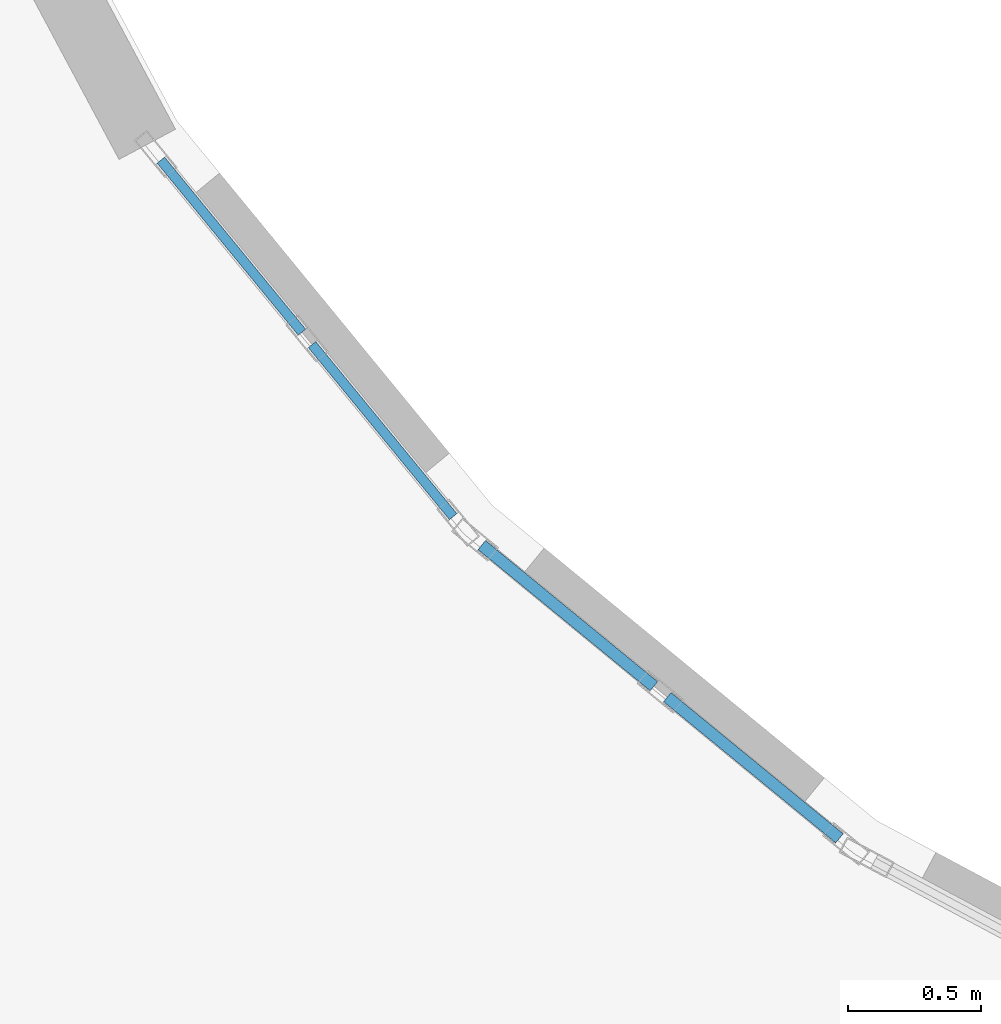
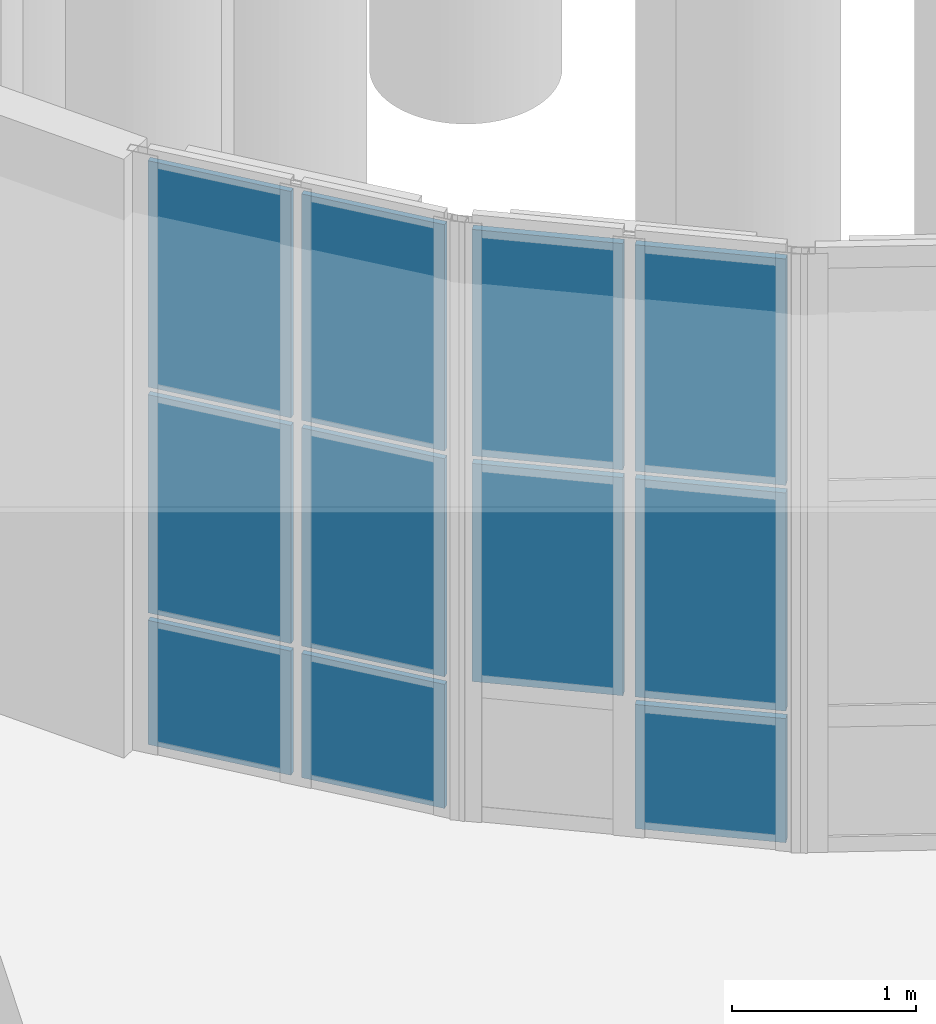
# One storey, part 52 of 93: 11 plates, 2 elements without a shape of their own.
"""IFC4 building model written with IfcOpenShell, lengths in metres."""

from ifc_helpers import new_model, si_unit, direction, frame, origin, origin_2d, place, context, subcontext, project, spatial, rectangle, extrude, material, layer, layer_set, type_object, element, aggregate, save


model = new_model("IFC4")

# Units and contexts
model_context = context("Model", 3, precision=1e-05, world=origin(), true_north=direction((0.0, 1.0)))
body_context = subcontext(model_context, "Body", "Model", "MODEL_VIEW")
ifc_project = project(units=[si_unit("LENGTHUNIT", "METRE"), si_unit("AREAUNIT", "SQUARE_METRE"), si_unit("VOLUMEUNIT", "CUBIC_METRE"), si_unit("PLANEANGLEUNIT", "RADIAN"), si_unit("MASSUNIT", "GRAM", prefix="KILO")], contexts=[model_context])

# Site, building, storey
site_placement = place(None, origin())
site = spatial("IfcSite", under=ifc_project, at=site_placement, CompositionType="ELEMENT")
building_placement = place(site_placement, origin())
building = spatial("IfcBuilding", under=site, at=building_placement, Name="Kelanivale Promenade Academy", CompositionType="ELEMENT")
storey_placement = place(building_placement, origin())
storey = spatial("IfcBuildingStorey", under=building, at=storey_placement, Name="L00", CompositionType="ELEMENT", Elevation=0.0)

# Curtain wall, plates
ifc_material_1 = material(Name="Bronze anodised aluminium and solar-control low-E glass", Category="aluminium")
ifc_layer_1 = layer(ifc_material_1, 0.179931640625)
ifc_layer_set_1 = layer_set([ifc_layer_1], Name="Bronze anodised aluminium and solar-control low-E glass")
curtain_wall_type_1 = type_object("IfcCurtainWallType", Name="CW-14 Curtain Wall 1500mm Module", PredefinedType="USERDEFINED", material=ifc_layer_set_1)
curtain_wall_1_placement = place(storey_placement, origin())
curtain_wall_1 = element("IfcCurtainWall", 1, at=curtain_wall_1_placement, inside=storey, type_object=curtain_wall_type_1, Name="L00 courtyard curtain wall CW-14", ObjectType="COURTYARD SCREEN GLAZING", PredefinedType="USERDEFINED")
ifc_material_2 = material(Name="Acoustic laminated double glazing 36 mm", Category="glass")
ifc_layer_2 = layer(ifc_material_2, 0.035888671875)
ifc_layer_set_2 = layer_set([ifc_layer_2], Name="Acoustic laminated double glazing 36 mm")
plate_type_1 = type_object("IfcPlateType", Name="CWP-02 Plate 36mm", PredefinedType="CURTAIN_PANEL", material=ifc_layer_set_2)
plate_1_placement = place(storey_placement, frame((91.105224609375, 51.052490234375, 0.0498046875), z_axis=(0.0, 0.0, 1.0), x_axis=(0.634092539482, -0.773257170269, 0.0)))
plate_1 = element("IfcPlate", 2, at=plate_1_placement, type_object=plate_type_1, Name="CW-14 panel 1.1", PredefinedType="CURTAIN_PANEL", context=body_context, shape_type="SweptSolid", body=[
    extrude(rectangle(XDim=0.833251953125, YDim=0.035888671875, at=origin_2d()), origin(), (0.0, 0.0, 1.0), 0.824951171875),
])
plate_2_placement = place(storey_placement, frame((91.105224609375, 51.052490234375, 0.9248046875), z_axis=(0.0, 0.0, 1.0), x_axis=(0.634092539482, -0.773257170269, 0.0)))
plate_2 = element("IfcPlate", 3, at=plate_2_placement, type_object=plate_type_1, Name="CW-14 panel 1.2", PredefinedType="CURTAIN_PANEL", context=body_context, shape_type="SweptSolid", body=[
    extrude(rectangle(XDim=0.833251953125, YDim=0.035888671875, at=origin_2d()), origin(), (0.0, 0.0, 1.0), 1.449951171875),
])
plate_3_placement = place(storey_placement, frame((91.105224609375, 51.052490234375, 2.425048828125), z_axis=(0.0, 0.0, 1.0), x_axis=(0.634092539482, -0.773257170269, 0.0)))
plate_3 = element("IfcPlate", 4, at=plate_3_placement, type_object=plate_type_1, Name="CW-14 panel 1.3", PredefinedType="CURTAIN_PANEL", context=body_context, shape_type="SweptSolid", body=[
    extrude(rectangle(XDim=0.833251953125, YDim=0.035888671875, at=origin_2d()), origin(), (0.0, 0.0, 1.0), 1.5048828125),
])
plate_4_placement = place(storey_placement, frame((91.671630859375, 50.361572265625, 0.0498046875), z_axis=(0.0, 0.0, 1.0), x_axis=(0.634092539482, -0.773257170269, 0.0)))
plate_4 = element("IfcPlate", 5, at=plate_4_placement, type_object=plate_type_1, Name="CW-14 panel 2.1", PredefinedType="CURTAIN_PANEL", context=body_context, shape_type="SweptSolid", body=[
    extrude(rectangle(XDim=0.833251953125, YDim=0.035888671875, at=origin_2d()), origin(), (0.0, 0.0, 1.0), 0.824951171875),
])
plate_5_placement = place(storey_placement, frame((91.671630859375, 50.361572265625, 0.9248046875), z_axis=(0.0, 0.0, 1.0), x_axis=(0.634092539482, -0.773257170269, 0.0)))
plate_5 = element("IfcPlate", 6, at=plate_5_placement, type_object=plate_type_1, Name="CW-14 panel 2.2", PredefinedType="CURTAIN_PANEL", context=body_context, shape_type="SweptSolid", body=[
    extrude(rectangle(XDim=0.833251953125, YDim=0.035888671875, at=origin_2d()), origin(), (0.0, 0.0, 1.0), 1.449951171875),
])
plate_6_placement = place(storey_placement, frame((91.671630859375, 50.361572265625, 2.425048828125), z_axis=(0.0, 0.0, 1.0), x_axis=(0.634092539482, -0.773257170269, 0.0)))
plate_6 = element("IfcPlate", 7, at=plate_6_placement, type_object=plate_type_1, Name="CW-14 panel 2.3", PredefinedType="CURTAIN_PANEL", context=body_context, shape_type="SweptSolid", body=[
    extrude(rectangle(XDim=0.833251953125, YDim=0.035888671875, at=origin_2d()), origin(), (0.0, 0.0, 1.0), 1.5048828125),
])
aggregate(curtain_wall_1, [plate_1, plate_2, plate_3, plate_4, plate_5, plate_6])

ifc_layer_3 = layer(ifc_material_1, 0.159912109375)
ifc_layer_set_3 = layer_set([ifc_layer_3], Name="Bronze anodised aluminium and solar-control low-E glass")
curtain_wall_type_2 = type_object("IfcCurtainWallType", Name="CW-15 Curtain Wall 1650mm Module", PredefinedType="USERDEFINED", material=ifc_layer_set_3)
curtain_wall_2_placement = place(storey_placement, origin())
curtain_wall_2 = element("IfcCurtainWall", 8, at=curtain_wall_2_placement, inside=storey, type_object=curtain_wall_type_2, Name="L00 courtyard curtain wall CW-15", ObjectType="COURTYARD SCREEN GLAZING", PredefinedType="USERDEFINED")
ifc_material_3 = material(Name="Insulated bronze aluminium spandrel panel 44 mm", Category="aluminium")
ifc_layer_4 = layer(ifc_material_3, 0.0439453125)
ifc_layer_set_4 = layer_set([ifc_layer_4], Name="Insulated bronze aluminium spandrel panel 44 mm")
plate_type_2 = type_object("IfcPlateType", Name="CWP-03 Plate 44mm", PredefinedType="CURTAIN_PANEL", material=ifc_layer_set_4)
plate_7_placement = place(storey_placement, frame((92.365478515625, 49.66845703125, 0.9248046875), z_axis=(0.0, 0.0, 1.0), x_axis=(0.773215132597, -0.634143799719, 0.0)))
plate_7 = element("IfcPlate", 9, at=plate_7_placement, type_object=plate_type_2, Name="CW-15 panel 1.2", PredefinedType="CURTAIN_PANEL", context=body_context, shape_type="SweptSolid", body=[
    extrude(rectangle(XDim=0.833740234375, YDim=0.0439453125, at=origin_2d()), origin(), (0.0, 0.0, 1.0), 1.449951171875),
])
plate_8_placement = place(storey_placement, frame((92.365478515625, 49.66845703125, 2.425048828125), z_axis=(0.0, 0.0, 1.0), x_axis=(0.773215132597, -0.634143799719, 0.0)))
plate_8 = element("IfcPlate", 10, at=plate_8_placement, type_object=plate_type_2, Name="CW-15 panel 1.3", PredefinedType="CURTAIN_PANEL", context=body_context, shape_type="SweptSolid", body=[
    extrude(rectangle(XDim=0.833740234375, YDim=0.0439453125, at=origin_2d()), origin(), (0.0, 0.0, 1.0), 1.5048828125),
])
plate_9_placement = place(storey_placement, frame((93.060546875, 49.0986328125, 0.0498046875), z_axis=(0.0, 0.0, 1.0), x_axis=(0.773215132597, -0.634143799719, 0.0)))
plate_9 = element("IfcPlate", 11, at=plate_9_placement, type_object=plate_type_2, Name="CW-15 panel 2.1", PredefinedType="CURTAIN_PANEL", context=body_context, shape_type="SweptSolid", body=[
    extrude(rectangle(XDim=0.833740234375, YDim=0.0439453125, at=origin_2d()), origin(), (0.0, 0.0, 1.0), 0.824951171875),
])
plate_10_placement = place(storey_placement, frame((93.060546875, 49.0986328125, 0.9248046875), z_axis=(0.0, 0.0, 1.0), x_axis=(0.773215132597, -0.634143799719, 0.0)))
plate_10 = element("IfcPlate", 12, at=plate_10_placement, type_object=plate_type_2, Name="CW-15 panel 2.2", PredefinedType="CURTAIN_PANEL", context=body_context, shape_type="SweptSolid", body=[
    extrude(rectangle(XDim=0.833740234375, YDim=0.0439453125, at=origin_2d()), origin(), (0.0, 0.0, 1.0), 1.449951171875),
])
plate_11_placement = place(storey_placement, frame((93.060546875, 49.0986328125, 2.425048828125), z_axis=(0.0, 0.0, 1.0), x_axis=(0.773215132597, -0.634143799719, 0.0)))
plate_11 = element("IfcPlate", 13, at=plate_11_placement, type_object=plate_type_2, Name="CW-15 panel 2.3", PredefinedType="CURTAIN_PANEL", context=body_context, shape_type="SweptSolid", body=[
    extrude(rectangle(XDim=0.833740234375, YDim=0.0439453125, at=origin_2d()), origin(), (0.0, 0.0, 1.0), 1.5048828125),
])
aggregate(curtain_wall_2, [plate_7, plate_8, plate_9, plate_10, plate_11])

save(model, "model.ifc")
